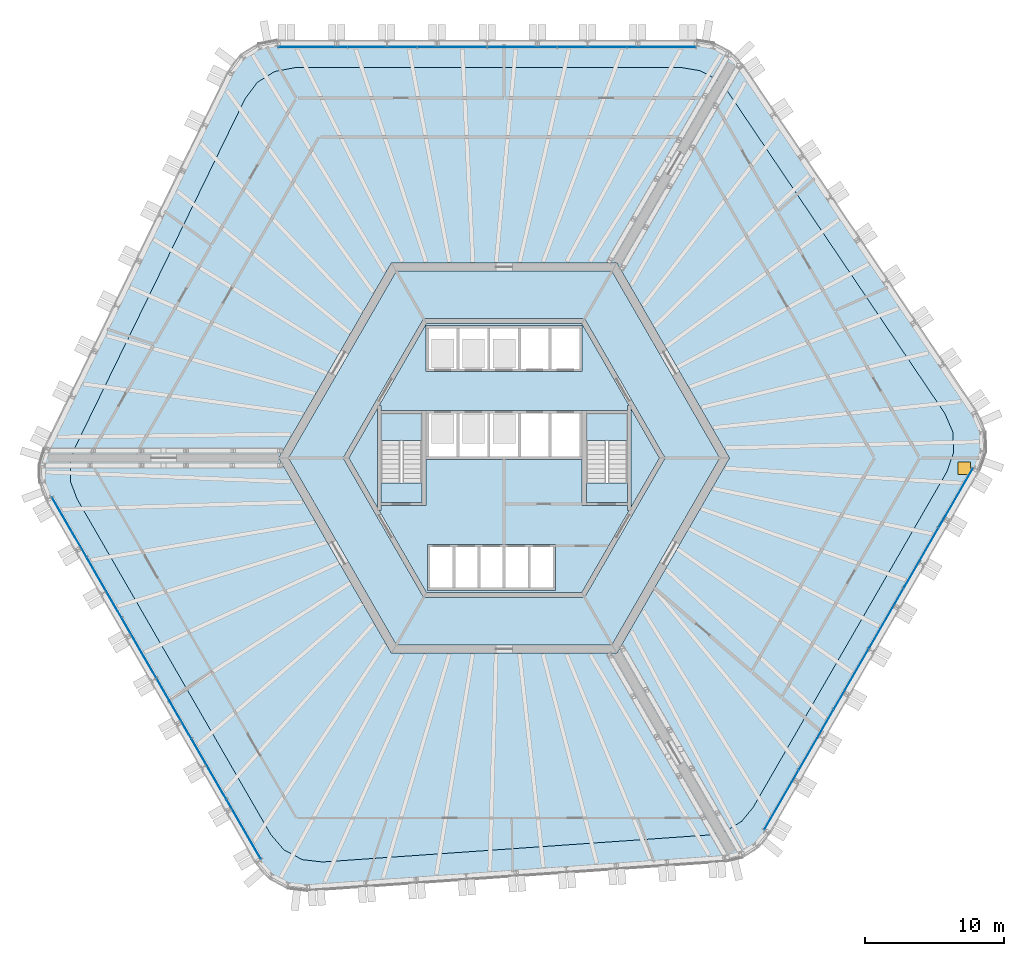
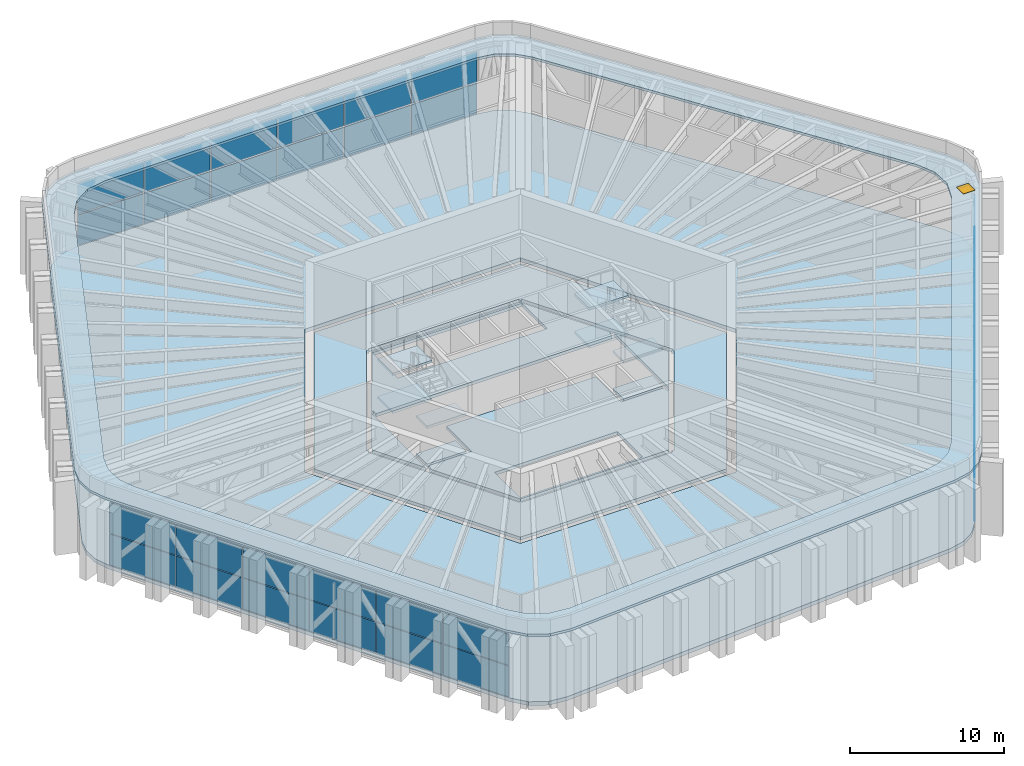
# One storey, part 12 of 27: 36 plates, 15 slabs, 1 door, 1 opening, 5 elements without a shape of their own.
"""IFC4 building model written with IfcOpenShell, lengths in metres."""

from ifc_helpers import new_model, si_unit, direction, frame, origin, origin_2d, place, context, subcontext, project, spatial, polyline, rectangle, outline, extrude, material, layer, layer_set, type_object, element, fill, aggregate, save


model = new_model("IFC4")

# Units and contexts
model_context = context("Model", 3, precision=1e-05, world=origin(), true_north=direction((0.0, 1.0)))
body_context = subcontext(model_context, "Body", "Model", "MODEL_VIEW")
ifc_project = project(units=[si_unit("LENGTHUNIT", "METRE"), si_unit("AREAUNIT", "SQUARE_METRE"), si_unit("VOLUMEUNIT", "CUBIC_METRE"), si_unit("PLANEANGLEUNIT", "RADIAN"), si_unit("MASSUNIT", "GRAM", prefix="KILO")], contexts=[model_context])

# Site, building, storey
site_placement = place(None, origin())
site = spatial("IfcSite", under=ifc_project, at=site_placement, CompositionType="ELEMENT")
building_placement = place(site_placement, origin())
building = spatial("IfcBuilding", under=site, at=building_placement, Name="Tarnside Tower", CompositionType="ELEMENT")
storey_placement = place(building_placement, frame((0.0, 0.0, 146.699951171875)))
storey = spatial("IfcBuildingStorey", under=building, at=storey_placement, Name="L34", CompositionType="ELEMENT", Elevation=146.699951171875)

# Slabs
ifc_material_1 = material(Name="Concrete C35/45", Category="concrete")
ifc_layer_1 = layer(ifc_material_1, 0.300048828125)
ifc_layer_set_1 = layer_set([ifc_layer_1], Name="Composite floor slab 300")
slab_type_1 = type_object("IfcSlabType", Name="Composite floor slab 300", PredefinedType="FLOOR", material=ifc_layer_set_1)
slab_1_placement = place(storey_placement, frame((0.0, 0.0, -0.300048828125)))
element("IfcSlab", 1, at=slab_1_placement, inside=storey, type_object=slab_type_1, Name="Floor slab L34", PredefinedType="FLOOR", context=body_context, shape_type="SweptSolid", body=[
    extrude(outline(polyline([(14.94970703125, 29.331298828125), (15.956787109375, 28.7958984375), (16.751220703125, 27.953857421875), (33.54638671875, 3.0537109375), (34.069580078125, 1.8408203125), (34.114990234375, 0.540283203125), (33.677734375, -0.7060546875), (18.660400390625, -26.71728515625), (17.926513671875, -27.612548828125), (16.95947265625, -28.216796875), (15.8330078125, -28.48388671875), (-14.128662109375, -30.5791015625), (-15.440673828125, -30.425537109375), (-16.589599609375, -29.814697265625), (-17.450439453125, -28.812744140625), (-32.468017578125, -2.8017578125), (-32.87646484375, -1.71875), (-32.916259765625, -0.578857421875), (-32.584228515625, 0.530029296875), (-19.417724609375, 27.525390625), (-18.62890625, 28.584716796875), (-17.525390625, 29.2744140625), (-16.227294921875, 29.518798828125), (13.8076171875, 29.518798828125), (14.94970703125, 29.331298828125)]), holes=[polyline([(-16.165771484375, 0.0), (-8.0830078125, -14.0), (8.0830078125, -14.0), (16.165771484375, 0.0), (8.0830078125, 14.0), (-8.0830078125, 14.0), (-16.165771484375, 0.0)])]), origin(), (0.0, 0.0, 1.0), 0.300048828125),
])
ifc_material_2 = material(Name="Concrete C40/50", Category="concrete")
ifc_layer_2 = layer(ifc_material_2, 0.25)
ifc_layer_set_2 = layer_set([ifc_layer_2], Name="Core slab C40/50")
slab_type_2 = type_object("IfcSlabType", Name="Core slab C40/50", PredefinedType="FLOOR", material=ifc_layer_set_2)
slab_2_placement = place(storey_placement, frame((0.0, 0.0, -0.25)))
element("IfcSlab", 2, at=slab_2_placement, inside=storey, type_object=slab_type_2, Name="L34 core floor slab 1", PredefinedType="FLOOR", context=body_context, shape_type="SweptSolid", body=[
    extrude(outline(polyline([(-15.472900390625, 0.0), (-7.736572265625, 13.39990234375), (7.736572265625, 13.39990234375), (15.472900390625, 0.0), (7.736572265625, -13.39990234375), (-7.736572265625, -13.39990234375), (-15.472900390625, 0.0)]), holes=[polyline([(5.823974609375, -9.91259765625), (11.49658203125, -0.08740234375), (11.344970703125, 0.0), (11.49658203125, 0.08740234375), (5.823974609375, 9.91259765625), (5.672607421875, 9.824951171875), (5.672607421875, 10.0), (-5.672607421875, 10.0), (-5.672607421875, 9.824951171875), (-5.823974609375, 9.91259765625), (-11.49658203125, 0.08740234375), (-11.344970703125, 0.0), (-11.49658203125, -0.08740234375), (-5.823974609375, -9.91259765625), (-5.672607421875, -9.824951171875), (-5.672607421875, -10.0), (5.672607421875, -10.0), (5.672607421875, -9.824951171875), (5.823974609375, -9.91259765625)])]), origin(), (0.0, 0.0, 1.0), 0.25),
])
slab_3_placement = place(storey_placement, frame((0.0, 0.0, -0.25)))
element("IfcSlab", 3, at=slab_3_placement, inside=storey, type_object=slab_type_2, Name="L34 core floor slab 2", PredefinedType="FLOOR", context=body_context, shape_type="SweptSolid", body=[
    extrude(outline(polyline([(-8.97509765625, 3.7548828125), (-5.5712890625, 9.64990234375), (5.5712890625, 9.64990234375), (8.97509765625, 3.7548828125), (8.85009765625, 3.7548828125), (8.85009765625, 3.39990234375), (5.89990234375, 3.39990234375), (5.60009765625, 3.39990234375), (5.60009765625, 3.39990234375), (-5.60009765625, 3.39990234375), (-5.89990234375, 3.39990234375), (-8.85009765625, 3.39990234375), (-8.85009765625, 3.7548828125), (-8.97509765625, 3.7548828125)]), holes=[polyline([(-5.60009765625, 6.199951171875), (5.60009765625, 6.199951171875), (5.60009765625, 6.39990234375), (5.60009765625, 9.300048828125), (5.60009765625, 9.5), (-5.60009765625, 9.5), (-5.60009765625, 9.300048828125), (-5.60009765625, 6.39990234375), (-5.60009765625, 6.199951171875)])]), origin(), (0.0, 0.0, 1.0), 0.25),
])
slab_4_placement = place(storey_placement, frame((0.0, 0.0, -0.25)))
element("IfcSlab", 4, at=slab_4_placement, inside=storey, type_object=slab_type_2, Name="L34 core floor slab 3", PredefinedType="FLOOR", context=body_context, shape_type="SweptSolid", body=[
    extrude(outline(polyline([(5.60009765625, -3.39990234375), (5.89990234375, -3.39990234375), (8.85009765625, -3.39990234375), (8.85009765625, -3.7548828125), (8.97509765625, -3.7548828125), (5.5712890625, -9.64990234375), (-5.5712890625, -9.64990234375), (-8.97509765625, -3.7548828125), (-8.85009765625, -3.7548828125), (-8.85009765625, -3.39990234375), (-5.89990234375, -3.39990234375), (-5.60009765625, -3.39990234375), (-5.60009765625, -0.10009765625), (5.60009765625, -0.10009765625), (5.60009765625, -3.39990234375)]), holes=[polyline([(-5.5, -9.300048828125), (-5.5, -9.5), (3.699951171875, -9.5), (3.699951171875, -9.300048828125), (3.699951171875, -6.39990234375), (3.699951171875, -6.199951171875), (-5.5, -6.199951171875), (-5.5, -6.39990234375), (-5.5, -9.300048828125)])]), origin(), (0.0, 0.0, 1.0), 0.25),
])
slab_5_placement = place(storey_placement, frame((0.0, 0.0, -0.25)))
element("IfcSlab", 5, at=slab_5_placement, inside=storey, type_object=slab_type_2, Name="L34 core floor slab 4", PredefinedType="FLOOR", context=body_context, shape_type="SweptSolid", body=[
    extrude(outline(polyline([(-11.142822265625, 0.0), (-9.10009765625, 3.538330078125), (-9.10009765625, -3.538330078125), (-11.142822265625, 0.0)])), origin(), (0.0, 0.0, 1.0), 0.25),
])
slab_6_placement = place(storey_placement, frame((0.0, 0.0, -0.25)))
element("IfcSlab", 6, at=slab_6_placement, inside=storey, type_object=slab_type_2, Name="L34 core floor slab 5", PredefinedType="FLOOR", context=body_context, shape_type="SweptSolid", body=[
    extrude(outline(polyline([(-8.85009765625, -1.800048828125), (-5.89990234375, -1.800048828125), (-5.89990234375, -3.199951171875), (-8.85009765625, -3.199951171875), (-8.85009765625, -1.800048828125)])), origin(), (0.0, 0.0, 1.0), 0.25),
])
slab_7_placement = place(storey_placement, frame((0.0, 0.0, -0.25)))
element("IfcSlab", 7, at=slab_7_placement, inside=storey, type_object=slab_type_2, Name="L34 core floor slab 6", PredefinedType="FLOOR", context=body_context, shape_type="SweptSolid", body=[
    extrude(outline(polyline([(5.89990234375, -3.199951171875), (5.89990234375, -1.800048828125), (8.85009765625, -1.800048828125), (8.85009765625, -3.199951171875), (5.89990234375, -3.199951171875)])), origin(), (0.0, 0.0, 1.0), 0.25),
])
slab_8_placement = place(storey_placement, frame((0.0, 0.0, -0.25)))
element("IfcSlab", 8, at=slab_8_placement, inside=storey, type_object=slab_type_2, Name="L34 core floor slab 7", PredefinedType="FLOOR", context=body_context, shape_type="SweptSolid", body=[
    extrude(outline(polyline([(9.10009765625, -3.538330078125), (9.10009765625, 3.538330078125), (11.142822265625, 0.0), (9.10009765625, -3.538330078125)])), origin(), (0.0, 0.0, 1.0), 0.25),
])

# Slab, opening, door
ifc_layer_3 = layer(ifc_material_1, 0.199951171875)
ifc_layer_set_3 = layer_set([ifc_layer_3], Name="Setback roof slab 200")
slab_type_3 = type_object("IfcSlabType", Name="Setback roof slab 200", PredefinedType="ROOF", material=ifc_layer_set_3)
slab_9_placement = place(storey_placement, frame((0.0, 0.0, 5.5)))
slab_9 = element("IfcSlab", 9, at=slab_9_placement, inside=storey, type_object=slab_type_3, Name="Setback roof L34", PredefinedType="ROOF", context=body_context, shape_type="SweptSolid", body=[
    extrude(outline(polyline([(15.104736328125, 29.78955078125), (16.250244140625, 29.180419921875), (17.140625, 28.23681640625), (33.9560546875, 3.306640625), (34.542724609375, 1.947021484375), (34.59423828125, 0.46728515625), (34.10400390625, -0.929931640625), (19.068603515625, -26.972412109375), (18.24609375, -27.975830078125), (17.14599609375, -28.663330078125), (15.883544921875, -28.962646484375), (-14.1142578125, -31.060302734375), (-15.5849609375, -30.888427734375), (-16.892578125, -30.193115234375), (-17.857421875, -29.070068359375), (-32.89306640625, -3.027587890625), (-33.350830078125, -1.813720703125), (-33.396240234375, -0.51708984375), (-33.024169921875, 0.725830078125), (-19.841796875, 27.75341796875), (-18.95751953125, 28.941162109375), (-17.70166015625, 29.725830078125), (-16.24658203125, 30.0), (13.824462890625, 30.0), (15.104736328125, 29.78955078125)]), holes=[polyline([(14.04248046875, 27.793212890625), (12.783447265625, 28.0), (12.760986328125, 28.0), (-14.996826171875, 28.0), (-15.0224609375, 28.0), (-16.453857421875, 27.73046875), (-17.711181640625, 26.94482421875), (-18.580810546875, 25.776611328125), (-24.954833984375, 12.707763671875), (-30.76025390625, 0.804931640625), (-30.76025390625, 0.8046875), (-30.77001953125, 0.78466796875), (-31.135986328125, -0.4375), (-31.0908203125, -1.7353515625), (-30.640380859375, -2.92919921875), (-30.62939453125, -2.948486328125), (-30.629150390625, -2.94873046875), (-16.750244140625, -26.987548828125), (-16.750244140625, -26.98779296875), (-16.7373046875, -27.010009765625), (-15.788330078125, -28.114501953125), (-14.479248046875, -28.810546875), (-13.03271484375, -28.979736328125), (-13.00732421875, -28.97802734375), (-13.007080078125, -28.97802734375), (-4.6923828125, -28.396484375), (14.70556640625, -27.0400390625), (15.947021484375, -26.745849609375), (17.04833984375, -26.0576171875), (17.85693359375, -25.07080078125), (31.760009765625, -0.989990234375), (32.2421875, 0.38427734375), (32.1904296875, 1.86572265625), (31.613525390625, 3.203125), (31.59912109375, 3.224365234375), (31.59912109375, 3.224365234375), (16.0771484375, 26.23681640625), (16.0771484375, 26.23681640625), (16.064697265625, 26.25537109375), (15.189208984375, 27.183349609375), (14.04248046875, 27.793212890625)])]), origin(), (0.0, 0.0, 1.0), 0.199951171875),
])
opening_placement = place(slab_9_placement, frame((33.014892578125, -0.7236328125, 0.0)))
opening = element("IfcOpeningElement", 10, at=opening_placement, cuts=slab_9, Name="Opening RH", PredefinedType="OPENING", context=body_context, shape_type="SweptSolid", body=[
    extrude(rectangle(XDim=0.89990234375, YDim=0.89990234375, at=origin_2d()), origin(), (0.0, 0.0, 1.0), 0.199951171875),
])
ifc_material_3 = material(Name="Aluminium alloy 6063", Category="aluminium")
door_type = type_object("IfcDoorType", Name="Roof access hatch 900 x 900", OperationType="NOTDEFINED", PredefinedType="TRAPDOOR", material=ifc_material_3)
door_placement = place(opening_placement, frame((0.0, 0.0, 0.14990234375)))
door = element("IfcDoor", 11, at=door_placement, inside=storey, type_object=door_type, Name="Roof access hatch", OperationType="SINGLE_SWING_LEFT", OverallHeight=0.89990234375, OverallWidth=0.89990234375, PredefinedType="TRAPDOOR", context=body_context, shape_type="SweptSolid", body=[
    extrude(rectangle(XDim=0.89990234375, YDim=0.89990234375, at=origin_2d()), origin(), (0.0, 0.0, 1.0), 0.050048828125),
])
fill(opening, door)

# Curtain wall, plates
ifc_material_4 = material(Name="Sky lobby glazing wall", Category="glass")
curtain_wall_type = type_object("IfcCurtainWallType", Name="Sky lobby glazing wall", PredefinedType="NOTDEFINED", material=ifc_material_4)
curtain_wall_1_placement = place(storey_placement, origin())
curtain_wall_1 = element("IfcCurtainWall", 12, at=curtain_wall_1_placement, inside=storey, type_object=curtain_wall_type, Name="Sky lobby glazing L34 F1", PredefinedType="NOTDEFINED")
ifc_material_5 = material(Name="Low-iron safety glass", Category="glass")
ifc_layer_4 = layer(ifc_material_5, 0.035888671875)
ifc_layer_set_4 = layer_set([ifc_layer_4], Name="Sky lobby glazing panel 36")
plate_type = type_object("IfcPlateType", Name="Sky lobby glazing panel 36", PredefinedType="CURTAIN_PANEL", material=ifc_layer_set_4)
plate_1_placement = place(storey_placement, frame((11.303466796875, 29.493896484375, 0.06005859375), z_axis=(0.0, 0.0, 1.0), x_axis=(-1.0, 0.0, 0.0)))
plate_1 = element("IfcPlate", 13, at=plate_1_placement, type_object=plate_type, Name="CW4 panel 1.1", PredefinedType="CURTAIN_PANEL", context=body_context, shape_type="SweptSolid", body=[
    extrude(rectangle(XDim=4.921875, YDim=0.035888671875, at=origin_2d()), origin(), (0.0, 0.0, 1.0), 2.441650390625),
])
plate_2_placement = place(storey_placement, frame((11.303466796875, 29.493896484375, 2.56201171875), z_axis=(0.0, 0.0, 1.0), x_axis=(-1.0, 0.0, 0.0)))
plate_2 = element("IfcPlate", 14, at=plate_2_placement, type_object=plate_type, Name="CW4 panel 1.2", PredefinedType="CURTAIN_PANEL", context=body_context, shape_type="SweptSolid", body=[
    extrude(rectangle(XDim=4.921875, YDim=0.035888671875, at=origin_2d()), origin(), (0.0, 0.0, 1.0), 2.441650390625),
])
plate_3_placement = place(storey_placement, frame((6.306640625, 29.493896484375, 0.06005859375), z_axis=(0.0, 0.0, 1.0), x_axis=(-1.0, 0.0, 0.0)))
plate_3 = element("IfcPlate", 15, at=plate_3_placement, type_object=plate_type, Name="CW4 panel 2.1", PredefinedType="CURTAIN_PANEL", context=body_context, shape_type="SweptSolid", body=[
    extrude(rectangle(XDim=4.951904296875, YDim=0.035888671875, at=origin_2d()), origin(), (0.0, 0.0, 1.0), 2.441650390625),
])
plate_4_placement = place(storey_placement, frame((6.306640625, 29.493896484375, 2.56201171875), z_axis=(0.0, 0.0, 1.0), x_axis=(-1.0, 0.0, 0.0)))
plate_4 = element("IfcPlate", 16, at=plate_4_placement, type_object=plate_type, Name="CW4 panel 2.2", PredefinedType="CURTAIN_PANEL", context=body_context, shape_type="SweptSolid", body=[
    extrude(rectangle(XDim=4.951904296875, YDim=0.035888671875, at=origin_2d()), origin(), (0.0, 0.0, 1.0), 2.441650390625),
])
plate_5_placement = place(storey_placement, frame((1.294921875, 29.493896484375, 0.06005859375), z_axis=(0.0, 0.0, 1.0), x_axis=(-1.0, 0.0, 0.0)))
plate_5 = element("IfcPlate", 17, at=plate_5_placement, type_object=plate_type, Name="CW4 panel 3.1", PredefinedType="CURTAIN_PANEL", context=body_context, shape_type="SweptSolid", body=[
    extrude(rectangle(XDim=4.951904296875, YDim=0.035888671875, at=origin_2d()), origin(), (0.0, 0.0, 1.0), 2.441650390625),
])
plate_6_placement = place(storey_placement, frame((1.294921875, 29.493896484375, 2.56201171875), z_axis=(0.0, 0.0, 1.0), x_axis=(-1.0, 0.0, 0.0)))
plate_6 = element("IfcPlate", 18, at=plate_6_placement, type_object=plate_type, Name="CW4 panel 3.2", PredefinedType="CURTAIN_PANEL", context=body_context, shape_type="SweptSolid", body=[
    extrude(rectangle(XDim=4.951904296875, YDim=0.035888671875, at=origin_2d()), origin(), (0.0, 0.0, 1.0), 2.441650390625),
])
plate_7_placement = place(storey_placement, frame((-3.717041015625, 29.493896484375, 0.06005859375), z_axis=(0.0, 0.0, 1.0), x_axis=(-1.0, 0.0, 0.0)))
plate_7 = element("IfcPlate", 19, at=plate_7_placement, type_object=plate_type, Name="CW4 panel 4.1", PredefinedType="CURTAIN_PANEL", context=body_context, shape_type="SweptSolid", body=[
    extrude(rectangle(XDim=4.951904296875, YDim=0.035888671875, at=origin_2d()), origin(), (0.0, 0.0, 1.0), 2.441650390625),
])
plate_8_placement = place(storey_placement, frame((-3.717041015625, 29.493896484375, 2.56201171875), z_axis=(0.0, 0.0, 1.0), x_axis=(-1.0, 0.0, 0.0)))
plate_8 = element("IfcPlate", 20, at=plate_8_placement, type_object=plate_type, Name="CW4 panel 4.2", PredefinedType="CURTAIN_PANEL", context=body_context, shape_type="SweptSolid", body=[
    extrude(rectangle(XDim=4.951904296875, YDim=0.035888671875, at=origin_2d()), origin(), (0.0, 0.0, 1.0), 2.441650390625),
])
plate_9_placement = place(storey_placement, frame((-8.728759765625, 29.493896484375, 0.06005859375), z_axis=(0.0, 0.0, 1.0), x_axis=(-1.0, 0.0, 0.0)))
plate_9 = element("IfcPlate", 21, at=plate_9_placement, type_object=plate_type, Name="CW4 panel 5.1", PredefinedType="CURTAIN_PANEL", context=body_context, shape_type="SweptSolid", body=[
    extrude(rectangle(XDim=4.951904296875, YDim=0.035888671875, at=origin_2d()), origin(), (0.0, 0.0, 1.0), 2.441650390625),
])
plate_10_placement = place(storey_placement, frame((-8.728759765625, 29.493896484375, 2.56201171875), z_axis=(0.0, 0.0, 1.0), x_axis=(-1.0, 0.0, 0.0)))
plate_10 = element("IfcPlate", 22, at=plate_10_placement, type_object=plate_type, Name="CW4 panel 5.2", PredefinedType="CURTAIN_PANEL", context=body_context, shape_type="SweptSolid", body=[
    extrude(rectangle(XDim=4.951904296875, YDim=0.035888671875, at=origin_2d()), origin(), (0.0, 0.0, 1.0), 2.441650390625),
])
plate_11_placement = place(storey_placement, frame((-13.7255859375, 29.493896484375, 0.06005859375), z_axis=(0.0, 0.0, 1.0), x_axis=(-1.0, 0.0, 0.0)))
plate_11 = element("IfcPlate", 23, at=plate_11_placement, type_object=plate_type, Name="CW4 panel 6.1", PredefinedType="CURTAIN_PANEL", context=body_context, shape_type="SweptSolid", body=[
    extrude(rectangle(XDim=4.921875, YDim=0.035888671875, at=origin_2d()), origin(), (0.0, 0.0, 1.0), 2.441650390625),
])
plate_12_placement = place(storey_placement, frame((-13.7255859375, 29.493896484375, 2.56201171875), z_axis=(0.0, 0.0, 1.0), x_axis=(-1.0, 0.0, 0.0)))
plate_12 = element("IfcPlate", 24, at=plate_12_placement, type_object=plate_type, Name="CW4 panel 6.2", PredefinedType="CURTAIN_PANEL", context=body_context, shape_type="SweptSolid", body=[
    extrude(rectangle(XDim=4.921875, YDim=0.035888671875, at=origin_2d()), origin(), (0.0, 0.0, 1.0), 2.441650390625),
])
aggregate(curtain_wall_1, [plate_1, plate_2, plate_3, plate_4, plate_5, plate_6, plate_7, plate_8, plate_9, plate_10, plate_11, plate_12])

curtain_wall_2_placement = place(storey_placement, origin())
curtain_wall_2 = element("IfcCurtainWall", 25, at=curtain_wall_2_placement, inside=storey, type_object=curtain_wall_type, Name="Sky lobby glazing L34 F3", PredefinedType="NOTDEFINED")
plate_13_placement = place(storey_placement, frame((-31.1943359375, -4.957763671875, 0.06005859375), z_axis=(0.0, 0.0, 1.0), x_axis=(0.499999999985, -0.866025403793, 0.0)))
plate_13 = element("IfcPlate", 26, at=plate_13_placement, type_object=plate_type, Name="CW4 panel 1.1", PredefinedType="CURTAIN_PANEL", context=body_context, shape_type="SweptSolid", body=[
    extrude(rectangle(XDim=4.921875, YDim=0.035888671875, at=origin_2d()), origin(), (0.0, 0.0, 1.0), 2.441650390625),
])
plate_14_placement = place(storey_placement, frame((-31.1943359375, -4.957763671875, 2.56201171875), z_axis=(0.0, 0.0, 1.0), x_axis=(0.499999999985, -0.866025403793, 0.0)))
plate_14 = element("IfcPlate", 27, at=plate_14_placement, type_object=plate_type, Name="CW4 panel 1.2", PredefinedType="CURTAIN_PANEL", context=body_context, shape_type="SweptSolid", body=[
    extrude(rectangle(XDim=4.921875, YDim=0.035888671875, at=origin_2d()), origin(), (0.0, 0.0, 1.0), 2.441650390625),
])
plate_15_placement = place(storey_placement, frame((-28.69580078125, -9.28515625, 0.06005859375), z_axis=(0.0, 0.0, 1.0), x_axis=(0.499999999985, -0.866025403793, 0.0)))
plate_15 = element("IfcPlate", 28, at=plate_15_placement, type_object=plate_type, Name="CW4 panel 2.1", PredefinedType="CURTAIN_PANEL", context=body_context, shape_type="SweptSolid", body=[
    extrude(rectangle(XDim=4.951904296875, YDim=0.035888671875, at=origin_2d()), origin(), (0.0, 0.0, 1.0), 2.441650390625),
])
plate_16_placement = place(storey_placement, frame((-28.69580078125, -9.28515625, 2.56201171875), z_axis=(0.0, 0.0, 1.0), x_axis=(0.499999999985, -0.866025403793, 0.0)))
plate_16 = element("IfcPlate", 29, at=plate_16_placement, type_object=plate_type, Name="CW4 panel 2.2", PredefinedType="CURTAIN_PANEL", context=body_context, shape_type="SweptSolid", body=[
    extrude(rectangle(XDim=4.951904296875, YDim=0.035888671875, at=origin_2d()), origin(), (0.0, 0.0, 1.0), 2.441650390625),
])
plate_17_placement = place(storey_placement, frame((-26.18994140625, -13.62548828125, 0.06005859375), z_axis=(0.0, 0.0, 1.0), x_axis=(0.499999999985, -0.866025403793, 0.0)))
plate_17 = element("IfcPlate", 30, at=plate_17_placement, type_object=plate_type, Name="CW4 panel 3.1", PredefinedType="CURTAIN_PANEL", context=body_context, shape_type="SweptSolid", body=[
    extrude(rectangle(XDim=4.951904296875, YDim=0.035888671875, at=origin_2d()), origin(), (0.0, 0.0, 1.0), 2.441650390625),
])
plate_18_placement = place(storey_placement, frame((-26.18994140625, -13.62548828125, 2.56201171875), z_axis=(0.0, 0.0, 1.0), x_axis=(0.499999999985, -0.866025403793, 0.0)))
plate_18 = element("IfcPlate", 31, at=plate_18_placement, type_object=plate_type, Name="CW4 panel 3.2", PredefinedType="CURTAIN_PANEL", context=body_context, shape_type="SweptSolid", body=[
    extrude(rectangle(XDim=4.951904296875, YDim=0.035888671875, at=origin_2d()), origin(), (0.0, 0.0, 1.0), 2.441650390625),
])
plate_19_placement = place(storey_placement, frame((-23.68408203125, -17.966064453125, 0.06005859375), z_axis=(0.0, 0.0, 1.0), x_axis=(0.499999999985, -0.866025403793, 0.0)))
plate_19 = element("IfcPlate", 32, at=plate_19_placement, type_object=plate_type, Name="CW4 panel 4.1", PredefinedType="CURTAIN_PANEL", context=body_context, shape_type="SweptSolid", body=[
    extrude(rectangle(XDim=4.951904296875, YDim=0.035888671875, at=origin_2d()), origin(), (0.0, 0.0, 1.0), 2.441650390625),
])
plate_20_placement = place(storey_placement, frame((-23.68408203125, -17.966064453125, 2.56201171875), z_axis=(0.0, 0.0, 1.0), x_axis=(0.499999999985, -0.866025403793, 0.0)))
plate_20 = element("IfcPlate", 33, at=plate_20_placement, type_object=plate_type, Name="CW4 panel 4.2", PredefinedType="CURTAIN_PANEL", context=body_context, shape_type="SweptSolid", body=[
    extrude(rectangle(XDim=4.951904296875, YDim=0.035888671875, at=origin_2d()), origin(), (0.0, 0.0, 1.0), 2.441650390625),
])
plate_21_placement = place(storey_placement, frame((-21.177978515625, -22.306396484375, 0.06005859375), z_axis=(0.0, 0.0, 1.0), x_axis=(0.499999999985, -0.866025403793, 0.0)))
plate_21 = element("IfcPlate", 34, at=plate_21_placement, type_object=plate_type, Name="CW4 panel 5.1", PredefinedType="CURTAIN_PANEL", context=body_context, shape_type="SweptSolid", body=[
    extrude(rectangle(XDim=4.951904296875, YDim=0.035888671875, at=origin_2d()), origin(), (0.0, 0.0, 1.0), 2.441650390625),
])
plate_22_placement = place(storey_placement, frame((-21.177978515625, -22.306396484375, 2.56201171875), z_axis=(0.0, 0.0, 1.0), x_axis=(0.499999999985, -0.866025403793, 0.0)))
plate_22 = element("IfcPlate", 35, at=plate_22_placement, type_object=plate_type, Name="CW4 panel 5.2", PredefinedType="CURTAIN_PANEL", context=body_context, shape_type="SweptSolid", body=[
    extrude(rectangle(XDim=4.951904296875, YDim=0.035888671875, at=origin_2d()), origin(), (0.0, 0.0, 1.0), 2.441650390625),
])
plate_23_placement = place(storey_placement, frame((-18.6796875, -26.6337890625, 0.06005859375), z_axis=(0.0, 0.0, 1.0), x_axis=(0.499999999985, -0.866025403793, 0.0)))
plate_23 = element("IfcPlate", 36, at=plate_23_placement, type_object=plate_type, Name="CW4 panel 6.1", PredefinedType="CURTAIN_PANEL", context=body_context, shape_type="SweptSolid", body=[
    extrude(rectangle(XDim=4.921875, YDim=0.035888671875, at=origin_2d()), origin(), (0.0, 0.0, 1.0), 2.441650390625),
])
plate_24_placement = place(storey_placement, frame((-18.6796875, -26.6337890625, 2.56201171875), z_axis=(0.0, 0.0, 1.0), x_axis=(0.499999999985, -0.866025403793, 0.0)))
plate_24 = element("IfcPlate", 37, at=plate_24_placement, type_object=plate_type, Name="CW4 panel 6.2", PredefinedType="CURTAIN_PANEL", context=body_context, shape_type="SweptSolid", body=[
    extrude(rectangle(XDim=4.921875, YDim=0.035888671875, at=origin_2d()), origin(), (0.0, 0.0, 1.0), 2.441650390625),
])
aggregate(curtain_wall_2, [plate_13, plate_14, plate_15, plate_16, plate_17, plate_18, plate_19, plate_20, plate_21, plate_22, plate_23, plate_24])

curtain_wall_3_placement = place(storey_placement, origin())
curtain_wall_3 = element("IfcCurtainWall", 38, at=curtain_wall_3_placement, inside=storey, type_object=curtain_wall_type, Name="Sky lobby glazing L34 F5", PredefinedType="NOTDEFINED")
plate_25_placement = place(storey_placement, frame((19.890625, -24.5361328125, 0.06005859375), z_axis=(0.0, 0.0, 1.0), x_axis=(0.499999999985, 0.866025403793, 0.0)))
plate_25 = element("IfcPlate", 39, at=plate_25_placement, type_object=plate_type, Name="CW4 panel 1.1", PredefinedType="CURTAIN_PANEL", context=body_context, shape_type="SweptSolid", body=[
    extrude(rectangle(XDim=4.921875, YDim=0.035888671875, at=origin_2d()), origin(), (0.0, 0.0, 1.0), 2.441650390625),
])
plate_26_placement = place(storey_placement, frame((19.890625, -24.5361328125, 2.56201171875), z_axis=(0.0, 0.0, 1.0), x_axis=(0.499999999985, 0.866025403793, 0.0)))
plate_26 = element("IfcPlate", 40, at=plate_26_placement, type_object=plate_type, Name="CW4 panel 1.2", PredefinedType="CURTAIN_PANEL", context=body_context, shape_type="SweptSolid", body=[
    extrude(rectangle(XDim=4.921875, YDim=0.035888671875, at=origin_2d()), origin(), (0.0, 0.0, 1.0), 2.441650390625),
])
plate_27_placement = place(storey_placement, frame((22.38916015625, -20.208740234375, 0.06005859375), z_axis=(0.0, 0.0, 1.0), x_axis=(0.499999999985, 0.866025403793, 0.0)))
plate_27 = element("IfcPlate", 41, at=plate_27_placement, type_object=plate_type, Name="CW4 panel 2.1", PredefinedType="CURTAIN_PANEL", context=body_context, shape_type="SweptSolid", body=[
    extrude(rectangle(XDim=4.951904296875, YDim=0.035888671875, at=origin_2d()), origin(), (0.0, 0.0, 1.0), 2.441650390625),
])
plate_28_placement = place(storey_placement, frame((22.38916015625, -20.208740234375, 2.56201171875), z_axis=(0.0, 0.0, 1.0), x_axis=(0.499999999985, 0.866025403793, 0.0)))
plate_28 = element("IfcPlate", 42, at=plate_28_placement, type_object=plate_type, Name="CW4 panel 2.2", PredefinedType="CURTAIN_PANEL", context=body_context, shape_type="SweptSolid", body=[
    extrude(rectangle(XDim=4.951904296875, YDim=0.035888671875, at=origin_2d()), origin(), (0.0, 0.0, 1.0), 2.441650390625),
])
plate_29_placement = place(storey_placement, frame((24.89501953125, -15.868408203125, 0.06005859375), z_axis=(0.0, 0.0, 1.0), x_axis=(0.499999999985, 0.866025403793, 0.0)))
plate_29 = element("IfcPlate", 43, at=plate_29_placement, type_object=plate_type, Name="CW4 panel 3.1", PredefinedType="CURTAIN_PANEL", context=body_context, shape_type="SweptSolid", body=[
    extrude(rectangle(XDim=4.951904296875, YDim=0.035888671875, at=origin_2d()), origin(), (0.0, 0.0, 1.0), 2.441650390625),
])
plate_30_placement = place(storey_placement, frame((24.89501953125, -15.868408203125, 2.56201171875), z_axis=(0.0, 0.0, 1.0), x_axis=(0.499999999985, 0.866025403793, 0.0)))
plate_30 = element("IfcPlate", 44, at=plate_30_placement, type_object=plate_type, Name="CW4 panel 3.2", PredefinedType="CURTAIN_PANEL", context=body_context, shape_type="SweptSolid", body=[
    extrude(rectangle(XDim=4.951904296875, YDim=0.035888671875, at=origin_2d()), origin(), (0.0, 0.0, 1.0), 2.441650390625),
])
plate_31_placement = place(storey_placement, frame((27.40087890625, -11.52783203125, 0.06005859375), z_axis=(0.0, 0.0, 1.0), x_axis=(0.499999999985, 0.866025403793, 0.0)))
plate_31 = element("IfcPlate", 45, at=plate_31_placement, type_object=plate_type, Name="CW4 panel 4.1", PredefinedType="CURTAIN_PANEL", context=body_context, shape_type="SweptSolid", body=[
    extrude(rectangle(XDim=4.951904296875, YDim=0.035888671875, at=origin_2d()), origin(), (0.0, 0.0, 1.0), 2.441650390625),
])
plate_32_placement = place(storey_placement, frame((27.40087890625, -11.52783203125, 2.56201171875), z_axis=(0.0, 0.0, 1.0), x_axis=(0.499999999985, 0.866025403793, 0.0)))
plate_32 = element("IfcPlate", 46, at=plate_32_placement, type_object=plate_type, Name="CW4 panel 4.2", PredefinedType="CURTAIN_PANEL", context=body_context, shape_type="SweptSolid", body=[
    extrude(rectangle(XDim=4.951904296875, YDim=0.035888671875, at=origin_2d()), origin(), (0.0, 0.0, 1.0), 2.441650390625),
])
plate_33_placement = place(storey_placement, frame((29.906982421875, -7.1875, 0.06005859375), z_axis=(0.0, 0.0, 1.0), x_axis=(0.499999999985, 0.866025403793, 0.0)))
plate_33 = element("IfcPlate", 47, at=plate_33_placement, type_object=plate_type, Name="CW4 panel 5.1", PredefinedType="CURTAIN_PANEL", context=body_context, shape_type="SweptSolid", body=[
    extrude(rectangle(XDim=4.951904296875, YDim=0.035888671875, at=origin_2d()), origin(), (0.0, 0.0, 1.0), 2.441650390625),
])
plate_34_placement = place(storey_placement, frame((29.906982421875, -7.1875, 2.56201171875), z_axis=(0.0, 0.0, 1.0), x_axis=(0.499999999985, 0.866025403793, 0.0)))
plate_34 = element("IfcPlate", 48, at=plate_34_placement, type_object=plate_type, Name="CW4 panel 5.2", PredefinedType="CURTAIN_PANEL", context=body_context, shape_type="SweptSolid", body=[
    extrude(rectangle(XDim=4.951904296875, YDim=0.035888671875, at=origin_2d()), origin(), (0.0, 0.0, 1.0), 2.441650390625),
])
plate_35_placement = place(storey_placement, frame((32.4052734375, -2.860107421875, 0.06005859375), z_axis=(0.0, 0.0, 1.0), x_axis=(0.499999999985, 0.866025403793, 0.0)))
plate_35 = element("IfcPlate", 49, at=plate_35_placement, type_object=plate_type, Name="CW4 panel 6.1", PredefinedType="CURTAIN_PANEL", context=body_context, shape_type="SweptSolid", body=[
    extrude(rectangle(XDim=4.921875, YDim=0.035888671875, at=origin_2d()), origin(), (0.0, 0.0, 1.0), 2.441650390625),
])
plate_36_placement = place(storey_placement, frame((32.4052734375, -2.860107421875, 2.56201171875), z_axis=(0.0, 0.0, 1.0), x_axis=(0.499999999985, 0.866025403793, 0.0)))
plate_36 = element("IfcPlate", 50, at=plate_36_placement, type_object=plate_type, Name="CW4 panel 6.2", PredefinedType="CURTAIN_PANEL", context=body_context, shape_type="SweptSolid", body=[
    extrude(rectangle(XDim=4.921875, YDim=0.035888671875, at=origin_2d()), origin(), (0.0, 0.0, 1.0), 2.441650390625),
])
aggregate(curtain_wall_3, [plate_25, plate_26, plate_27, plate_28, plate_29, plate_30, plate_31, plate_32, plate_33, plate_34, plate_35, plate_36])

# Stair, slabs
stair_type = type_object("IfcStairType", Name="Exit stair 1400 clear", PredefinedType="HALF_TURN_STAIR", material=ifc_material_2)
stair_1_placement = place(storey_placement, origin())
stair_1 = element("IfcStair", 51, at=stair_1_placement, inside=storey, type_object=stair_type, Name="L34 Exit stair 1", PredefinedType="HALF_TURN_STAIR")
ifc_layer_5 = layer(ifc_material_2, 0.199951171875)
ifc_layer_set_5 = layer_set([ifc_layer_5], Name="Stair landing 200 C40/50")
slab_type_4 = type_object("IfcSlabType", Name="Stair landing 200 C40/50", PredefinedType="LANDING", material=ifc_layer_set_5)
slab_10_placement = place(storey_placement, frame((0.0, 0.0, 1.300048828125)))
slab_10 = element("IfcSlab", 52, at=slab_10_placement, type_object=slab_type_4, Name="ST1 landing 1", PredefinedType="LANDING", context=body_context, shape_type="SweptSolid", body=[
    extrude(outline(polyline([(8.85009765625, 1.260009765625), (8.85009765625, 3.199951171875), (5.89990234375, 3.199951171875), (5.89990234375, 1.260009765625), (8.85009765625, 1.260009765625)])), origin(), (0.0, 0.0, 1.0), 0.199951171875),
])
slab_11_placement = place(storey_placement, frame((0.0, 0.0, 2.800048828125)))
slab_11 = element("IfcSlab", 53, at=slab_11_placement, type_object=slab_type_4, Name="ST1 landing 2", PredefinedType="LANDING", context=body_context, shape_type="SweptSolid", body=[
    extrude(outline(polyline([(8.85009765625, -3.199951171875), (8.85009765625, -1.800048828125), (5.89990234375, -1.800048828125), (5.89990234375, -3.199951171875), (8.85009765625, -3.199951171875)])), origin(), (0.0, 0.0, 1.0), 0.199951171875),
])
slab_12_placement = place(storey_placement, frame((0.0, 0.0, 4.300048828125)))
slab_12 = element("IfcSlab", 54, at=slab_12_placement, type_object=slab_type_4, Name="ST1 landing 3", PredefinedType="LANDING", context=body_context, shape_type="SweptSolid", body=[
    extrude(outline(polyline([(8.85009765625, 1.260009765625), (8.85009765625, 3.199951171875), (5.89990234375, 3.199951171875), (5.89990234375, 1.260009765625), (8.85009765625, 1.260009765625)])), origin(), (0.0, 0.0, 1.0), 0.199951171875),
])
aggregate(stair_1, [slab_10, slab_11, slab_12])

stair_2_placement = place(storey_placement, origin())
stair_2 = element("IfcStair", 55, at=stair_2_placement, inside=storey, type_object=stair_type, Name="L34 Exit stair 2", PredefinedType="HALF_TURN_STAIR")
slab_13_placement = place(storey_placement, frame((0.0, 0.0, 1.300048828125)))
slab_13 = element("IfcSlab", 56, at=slab_13_placement, type_object=slab_type_4, Name="ST2 landing 1", PredefinedType="LANDING", context=body_context, shape_type="SweptSolid", body=[
    extrude(outline(polyline([(-5.89990234375, 1.260009765625), (-5.89990234375, 3.199951171875), (-8.85009765625, 3.199951171875), (-8.85009765625, 1.260009765625), (-5.89990234375, 1.260009765625)])), origin(), (0.0, 0.0, 1.0), 0.199951171875),
])
slab_14_placement = place(storey_placement, frame((0.0, 0.0, 2.800048828125)))
slab_14 = element("IfcSlab", 57, at=slab_14_placement, type_object=slab_type_4, Name="ST2 landing 2", PredefinedType="LANDING", context=body_context, shape_type="SweptSolid", body=[
    extrude(outline(polyline([(-5.89990234375, -3.199951171875), (-5.89990234375, -1.800048828125), (-8.85009765625, -1.800048828125), (-8.85009765625, -3.199951171875), (-5.89990234375, -3.199951171875)])), origin(), (0.0, 0.0, 1.0), 0.199951171875),
])
slab_15_placement = place(storey_placement, frame((0.0, 0.0, 4.300048828125)))
slab_15 = element("IfcSlab", 58, at=slab_15_placement, type_object=slab_type_4, Name="ST2 landing 3", PredefinedType="LANDING", context=body_context, shape_type="SweptSolid", body=[
    extrude(outline(polyline([(-5.89990234375, 1.260009765625), (-5.89990234375, 3.199951171875), (-8.85009765625, 3.199951171875), (-8.85009765625, 1.260009765625), (-5.89990234375, 1.260009765625)])), origin(), (0.0, 0.0, 1.0), 0.199951171875),
])
aggregate(stair_2, [slab_13, slab_14, slab_15])

save(model, "model.ifc")
